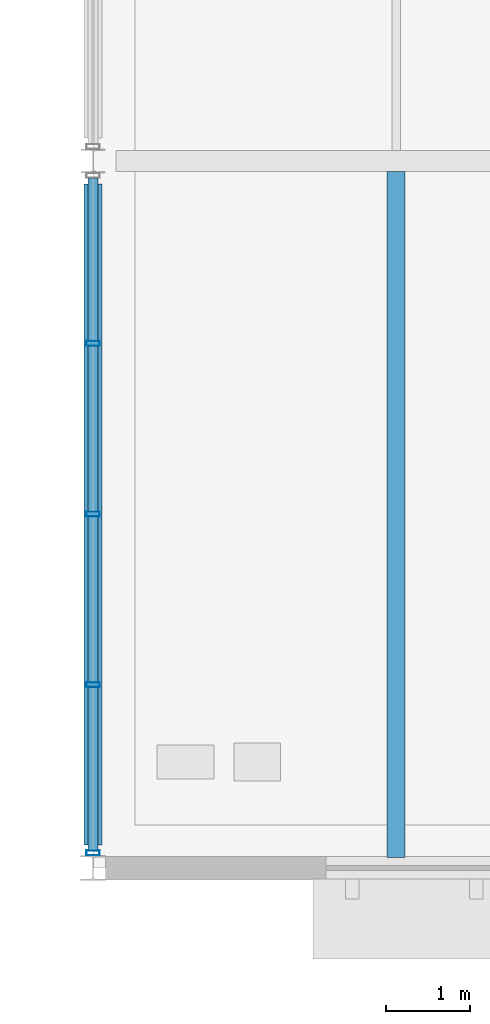
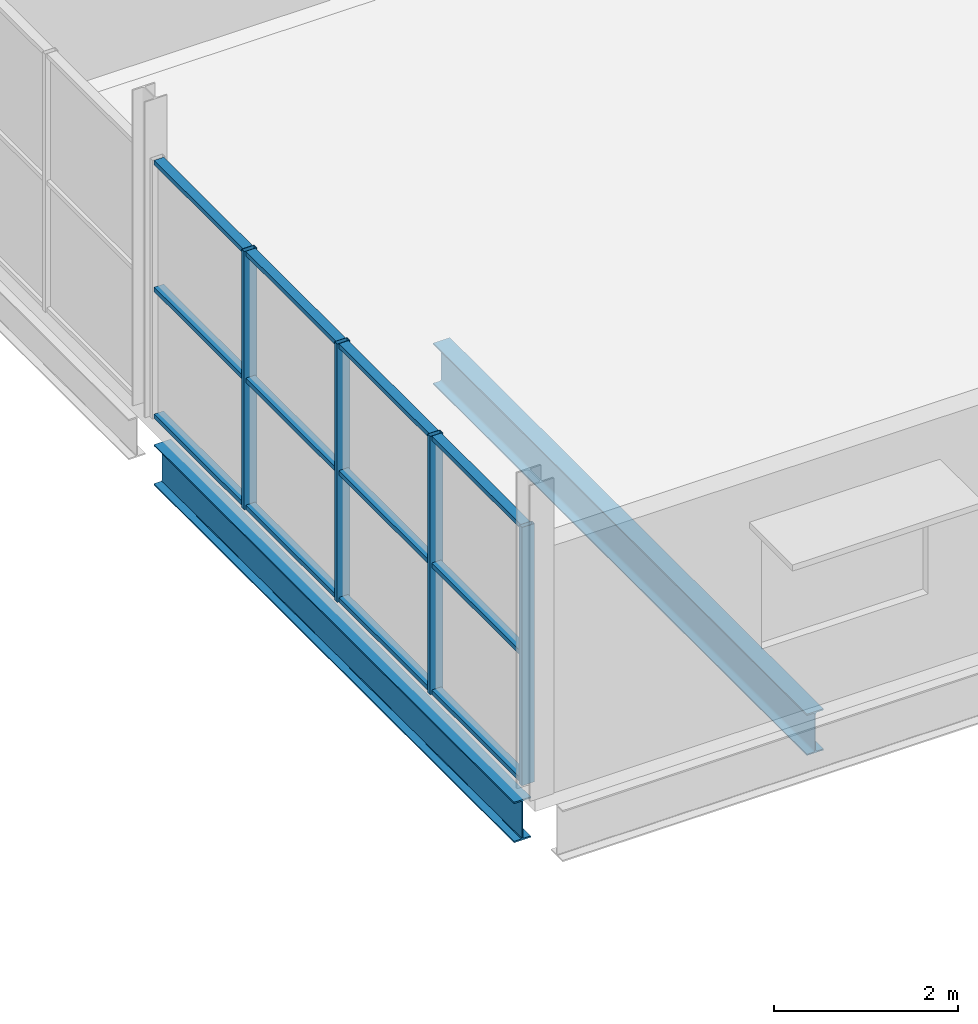
# One storey, part 38 of 161: 16 members, 2 beams, 1 element without a shape of its own.
"""IFC4 building model written with IfcOpenShell, lengths in metres."""

from ifc_helpers import new_model, si_unit, direction, frame, origin, origin_2d, place, context, subcontext, project, spatial, hollow_rectangle, i_section, extrude, material, material_profile, profile_set, type_object, element, aggregate, save


model = new_model("IFC4")

# Units and contexts
model_context = context("Model", 3, precision=1e-05, world=origin(), true_north=direction((0.0, 1.0)))
body_context = subcontext(model_context, "Body", "Model", "MODEL_VIEW")
ifc_project = project(units=[si_unit("LENGTHUNIT", "METRE"), si_unit("AREAUNIT", "SQUARE_METRE"), si_unit("VOLUMEUNIT", "CUBIC_METRE"), si_unit("PLANEANGLEUNIT", "RADIAN"), si_unit("MASSUNIT", "GRAM", prefix="KILO"), si_unit("THERMODYNAMICTEMPERATUREUNIT", "KELVIN")], contexts=[model_context])

# Site, building, storey
site_placement = place(None, origin())
site = spatial("IfcSite", under=ifc_project, at=site_placement, CompositionType="ELEMENT")
building_placement = place(site_placement, origin())
building = spatial("IfcBuilding", under=site, at=building_placement, Name="Nduvali Passage Aquatics Centre", CompositionType="ELEMENT")
storey_placement = place(building_placement, frame((0.0, 0.0, 4.800048828125)))
storey = spatial("IfcBuildingStorey", under=building, at=storey_placement, Name="L01", CompositionType="ELEMENT", Elevation=4.800048828125)

# Curtain wall, members
ifc_material_1 = material(Name="Aluminium EN AW-6063 T6", Category="aluminium")
curtain_wall_type = type_object("IfcCurtainWallType", Name="ENV-CW-COUR", PredefinedType="NOTDEFINED", material=ifc_material_1)
curtain_wall_placement = place(storey_placement, origin())
curtain_wall = element("IfcCurtainWall", 1, at=curtain_wall_placement, inside=storey, type_object=curtain_wall_type, Name="L01 Courtyard East Upper Cloister CW 170", PredefinedType="NOTDEFINED")
ifc_material_profile_1 = material_profile(ifc_material_1, hollow_rectangle(XDim=0.06005859375, YDim=0.159912109375, WallThickness=0.00390625, at=origin_2d()), Name="ALU MULLION 60x160x4")
ifc_profile_set_1 = profile_set([ifc_material_profile_1], Name="Aluminium EN AW-6063 T6")
member_type_1 = type_object("IfcMemberType", Name="ENV-MEM-MUL60", PredefinedType="MULLION", material=ifc_profile_set_1)
member_1_placement = place(storey_placement, frame((97.199951171875, 0.179931640625, 0.0), z_axis=(0.0, 0.0, 1.0), x_axis=(0.0, 1.0, 0.0)))
member_1 = element("IfcMember", 2, at=member_1_placement, type_object=member_type_1, Name="Courtyard East Upper Cloister CW Mullion 1", PredefinedType="MULLION", context=body_context, shape_type="SweptSolid", body=[
    extrude(hollow_rectangle(XDim=0.06005859375, YDim=0.159912109375, WallThickness=0.00390625, at=origin_2d()), origin(), (0.0, 0.0, 1.0), 3.436279296875),
])
member_2_placement = place(storey_placement, frame((97.199951171875, 2.177490234375, 0.0), z_axis=(0.0, 0.0, 1.0), x_axis=(0.0, 1.0, 0.0)))
member_2 = element("IfcMember", 3, at=member_2_placement, type_object=member_type_1, Name="Courtyard East Upper Cloister CW Mullion 2", PredefinedType="MULLION", context=body_context, shape_type="SweptSolid", body=[
    extrude(hollow_rectangle(XDim=0.06005859375, YDim=0.159912109375, WallThickness=0.00390625, at=origin_2d()), origin(), (0.0, 0.0, 1.0), 3.436279296875),
])
member_3_placement = place(storey_placement, frame((97.199951171875, 4.205078125, 0.0), z_axis=(0.0, 0.0, 1.0), x_axis=(0.0, 1.0, 0.0)))
member_3 = element("IfcMember", 4, at=member_3_placement, type_object=member_type_1, Name="Courtyard East Upper Cloister CW Mullion 3", PredefinedType="MULLION", context=body_context, shape_type="SweptSolid", body=[
    extrude(hollow_rectangle(XDim=0.06005859375, YDim=0.159912109375, WallThickness=0.00390625, at=origin_2d()), origin(), (0.0, 0.0, 1.0), 3.436279296875),
])
member_4_placement = place(storey_placement, frame((97.199951171875, 6.232421875, 0.0), z_axis=(0.0, 0.0, 1.0), x_axis=(0.0, 1.0, 0.0)))
member_4 = element("IfcMember", 5, at=member_4_placement, type_object=member_type_1, Name="Courtyard East Upper Cloister CW Mullion 4", PredefinedType="MULLION", context=body_context, shape_type="SweptSolid", body=[
    extrude(hollow_rectangle(XDim=0.06005859375, YDim=0.159912109375, WallThickness=0.00390625, at=origin_2d()), origin(), (0.0, 0.0, 1.0), 3.436279296875),
])
ifc_material_profile_2 = material_profile(ifc_material_1, hollow_rectangle(XDim=0.1201171875, YDim=0.06005859375, WallThickness=0.00390625, at=origin_2d()), Name="ALU TRANSOM 120x60x4")
ifc_profile_set_2 = profile_set([ifc_material_profile_2], Name="Aluminium EN AW-6063 T6")
member_type_2 = type_object("IfcMemberType", Name="ENV-MEM-TRN60", PredefinedType="USERDEFINED", material=ifc_profile_set_2)
member_5_placement = place(storey_placement, frame((97.199951171875, 0.2099609375, 0.030029296875), z_axis=(0.0, 1.0, 0.0), x_axis=(-1.0, 0.0, 0.0)))
member_5 = element("IfcMember", 6, at=member_5_placement, type_object=member_type_2, Name="Courtyard East Upper Cloister CW Transom B1-R0", ObjectType="TRANSOM", PredefinedType="USERDEFINED", context=body_context, shape_type="SweptSolid", body=[
    extrude(hollow_rectangle(XDim=0.1201171875, YDim=0.06005859375, WallThickness=0.00390625, at=origin_2d()), origin(), (0.0, 0.0, 1.0), 1.9375),
])
member_6_placement = place(storey_placement, frame((97.199951171875, 0.2099609375, 1.71826171875), z_axis=(0.0, 1.0, 0.0), x_axis=(-1.0, 0.0, 0.0)))
member_6 = element("IfcMember", 7, at=member_6_placement, type_object=member_type_2, Name="Courtyard East Upper Cloister CW Transom B1-R1", ObjectType="TRANSOM", PredefinedType="USERDEFINED", context=body_context, shape_type="SweptSolid", body=[
    extrude(hollow_rectangle(XDim=0.1201171875, YDim=0.06005859375, WallThickness=0.00390625, at=origin_2d()), origin(), (0.0, 0.0, 1.0), 1.9375),
])
member_7_placement = place(storey_placement, frame((97.199951171875, 0.2099609375, 3.40625), z_axis=(0.0, 1.0, 0.0), x_axis=(-1.0, 0.0, 0.0)))
member_7 = element("IfcMember", 8, at=member_7_placement, type_object=member_type_2, Name="Courtyard East Upper Cloister CW Transom B1-R2", ObjectType="TRANSOM", PredefinedType="USERDEFINED", context=body_context, shape_type="SweptSolid", body=[
    extrude(hollow_rectangle(XDim=0.1201171875, YDim=0.06005859375, WallThickness=0.00390625, at=origin_2d()), origin(), (0.0, 0.0, 1.0), 1.9375),
])
member_8_placement = place(storey_placement, frame((97.199951171875, 2.20751953125, 0.030029296875), z_axis=(0.0, 1.0, 0.0), x_axis=(-1.0, 0.0, 0.0)))
member_8 = element("IfcMember", 9, at=member_8_placement, type_object=member_type_2, Name="Courtyard East Upper Cloister CW Transom B2-R0", ObjectType="TRANSOM", PredefinedType="USERDEFINED", context=body_context, shape_type="SweptSolid", body=[
    extrude(hollow_rectangle(XDim=0.1201171875, YDim=0.06005859375, WallThickness=0.00390625, at=origin_2d()), origin(), (0.0, 0.0, 1.0), 1.967529296875),
])
member_9_placement = place(storey_placement, frame((97.199951171875, 2.20751953125, 1.71826171875), z_axis=(0.0, 1.0, 0.0), x_axis=(-1.0, 0.0, 0.0)))
member_9 = element("IfcMember", 10, at=member_9_placement, type_object=member_type_2, Name="Courtyard East Upper Cloister CW Transom B2-R1", ObjectType="TRANSOM", PredefinedType="USERDEFINED", context=body_context, shape_type="SweptSolid", body=[
    extrude(hollow_rectangle(XDim=0.1201171875, YDim=0.06005859375, WallThickness=0.00390625, at=origin_2d()), origin(), (0.0, 0.0, 1.0), 1.967529296875),
])
member_10_placement = place(storey_placement, frame((97.199951171875, 2.20751953125, 3.40625), z_axis=(0.0, 1.0, 0.0), x_axis=(-1.0, 0.0, 0.0)))
member_10 = element("IfcMember", 11, at=member_10_placement, type_object=member_type_2, Name="Courtyard East Upper Cloister CW Transom B2-R2", ObjectType="TRANSOM", PredefinedType="USERDEFINED", context=body_context, shape_type="SweptSolid", body=[
    extrude(hollow_rectangle(XDim=0.1201171875, YDim=0.06005859375, WallThickness=0.00390625, at=origin_2d()), origin(), (0.0, 0.0, 1.0), 1.967529296875),
])
member_11_placement = place(storey_placement, frame((97.199951171875, 4.235107421875, 0.030029296875), z_axis=(0.0, 1.0, 0.0), x_axis=(-1.0, 0.0, 0.0)))
member_11 = element("IfcMember", 12, at=member_11_placement, type_object=member_type_2, Name="Courtyard East Upper Cloister CW Transom B3-R0", ObjectType="TRANSOM", PredefinedType="USERDEFINED", context=body_context, shape_type="SweptSolid", body=[
    extrude(hollow_rectangle(XDim=0.1201171875, YDim=0.06005859375, WallThickness=0.00390625, at=origin_2d()), origin(), (0.0, 0.0, 1.0), 1.96728515625),
])
member_12_placement = place(storey_placement, frame((97.199951171875, 4.235107421875, 1.71826171875), z_axis=(0.0, 1.0, 0.0), x_axis=(-1.0, 0.0, 0.0)))
member_12 = element("IfcMember", 13, at=member_12_placement, type_object=member_type_2, Name="Courtyard East Upper Cloister CW Transom B3-R1", ObjectType="TRANSOM", PredefinedType="USERDEFINED", context=body_context, shape_type="SweptSolid", body=[
    extrude(hollow_rectangle(XDim=0.1201171875, YDim=0.06005859375, WallThickness=0.00390625, at=origin_2d()), origin(), (0.0, 0.0, 1.0), 1.96728515625),
])
member_13_placement = place(storey_placement, frame((97.199951171875, 4.235107421875, 3.40625), z_axis=(0.0, 1.0, 0.0), x_axis=(-1.0, 0.0, 0.0)))
member_13 = element("IfcMember", 14, at=member_13_placement, type_object=member_type_2, Name="Courtyard East Upper Cloister CW Transom B3-R2", ObjectType="TRANSOM", PredefinedType="USERDEFINED", context=body_context, shape_type="SweptSolid", body=[
    extrude(hollow_rectangle(XDim=0.1201171875, YDim=0.06005859375, WallThickness=0.00390625, at=origin_2d()), origin(), (0.0, 0.0, 1.0), 1.96728515625),
])
member_14_placement = place(storey_placement, frame((97.199951171875, 6.262451171875, 0.030029296875), z_axis=(0.0, 1.0, 0.0), x_axis=(-1.0, 0.0, 0.0)))
member_14 = element("IfcMember", 15, at=member_14_placement, type_object=member_type_2, Name="Courtyard East Upper Cloister CW Transom B4-R0", ObjectType="TRANSOM", PredefinedType="USERDEFINED", context=body_context, shape_type="SweptSolid", body=[
    extrude(hollow_rectangle(XDim=0.1201171875, YDim=0.06005859375, WallThickness=0.00390625, at=origin_2d()), origin(), (0.0, 0.0, 1.0), 1.9375),
])
member_15_placement = place(storey_placement, frame((97.199951171875, 6.262451171875, 1.71826171875), z_axis=(0.0, 1.0, 0.0), x_axis=(-1.0, 0.0, 0.0)))
member_15 = element("IfcMember", 16, at=member_15_placement, type_object=member_type_2, Name="Courtyard East Upper Cloister CW Transom B4-R1", ObjectType="TRANSOM", PredefinedType="USERDEFINED", context=body_context, shape_type="SweptSolid", body=[
    extrude(hollow_rectangle(XDim=0.1201171875, YDim=0.06005859375, WallThickness=0.00390625, at=origin_2d()), origin(), (0.0, 0.0, 1.0), 1.9375),
])
member_16_placement = place(storey_placement, frame((97.199951171875, 6.262451171875, 3.40625), z_axis=(0.0, 1.0, 0.0), x_axis=(-1.0, 0.0, 0.0)))
member_16 = element("IfcMember", 17, at=member_16_placement, type_object=member_type_2, Name="Courtyard East Upper Cloister CW Transom B4-R2", ObjectType="TRANSOM", PredefinedType="USERDEFINED", context=body_context, shape_type="SweptSolid", body=[
    extrude(hollow_rectangle(XDim=0.1201171875, YDim=0.06005859375, WallThickness=0.00390625, at=origin_2d()), origin(), (0.0, 0.0, 1.0), 1.9375),
])
aggregate(curtain_wall, [member_1, member_2, member_3, member_4, member_5, member_6, member_7, member_8, member_9, member_10, member_11, member_12, member_13, member_14, member_15, member_16])

# Beams
ifc_material_2 = material(Name="Steel S355", Category="steel")
ifc_material_profile_3 = material_profile(ifc_material_2, i_section(OverallWidth=0.210693359375, OverallDepth=0.53955078125, WebThickness=0.01171875, FlangeThickness=0.018798828125, FilletRadius=0.0126953125, at=origin_2d()), Name="UKB 533x210x109")
ifc_profile_set_3 = profile_set([ifc_material_profile_3], Name="Steel S355")
beam_type_1 = type_object("IfcBeamType", Name="STR-BM-UKB533", PredefinedType="BEAM", material=ifc_profile_set_3)
beam_1_placement = place(storey_placement, frame((97.199951171875, 0.27490234375, -0.553955078125), z_axis=(0.0, 1.0, 0.0), x_axis=(-1.0, 0.0, 0.0)))
element("IfcBeam", 18, at=beam_1_placement, inside=storey, type_object=beam_type_1, Name="L01 Primary Y-Girder B6-0606", PredefinedType="BEAM", context=body_context, shape_type="SweptSolid", body=[
    extrude(i_section(OverallWidth=0.210693359375, OverallDepth=0.53955078125, WebThickness=0.01171875, FlangeThickness=0.018798828125, FilletRadius=0.0126953125, at=origin_2d()), origin(), (0.0, 0.0, 1.0), 7.85009765625),
])
ifc_material_profile_4 = material_profile(ifc_material_2, i_section(OverallWidth=0.2099609375, OverallDepth=0.550048828125, WebThickness=0.010986328125, FlangeThickness=0.01708984375, FilletRadius=0.02392578125, at=origin_2d()), Name="IPE 550")
ifc_profile_set_4 = profile_set([ifc_material_profile_4], Name="Steel S355")
beam_type_2 = type_object("IfcBeamType", Name="STR-JST-IPE550", PredefinedType="JOIST", material=ifc_profile_set_4)
beam_2_placement = place(storey_placement, frame((100.800048828125, 0.126708984375, -0.55908203125), z_axis=(0.0, 1.0, 0.0), x_axis=(-1.0, 0.0, 0.0)))
element("IfcBeam", 19, at=beam_2_placement, inside=storey, type_object=beam_type_2, Name="L01 Secondary Joist J5C-0696", PredefinedType="JOIST", context=body_context, shape_type="SweptSolid", body=[
    extrude(i_section(OverallWidth=0.2099609375, OverallDepth=0.550048828125, WebThickness=0.010986328125, FlangeThickness=0.01708984375, FilletRadius=0.02392578125, at=origin_2d()), origin(), (0.0, 0.0, 1.0), 8.146484375),
])

save(model, "model.ifc")
